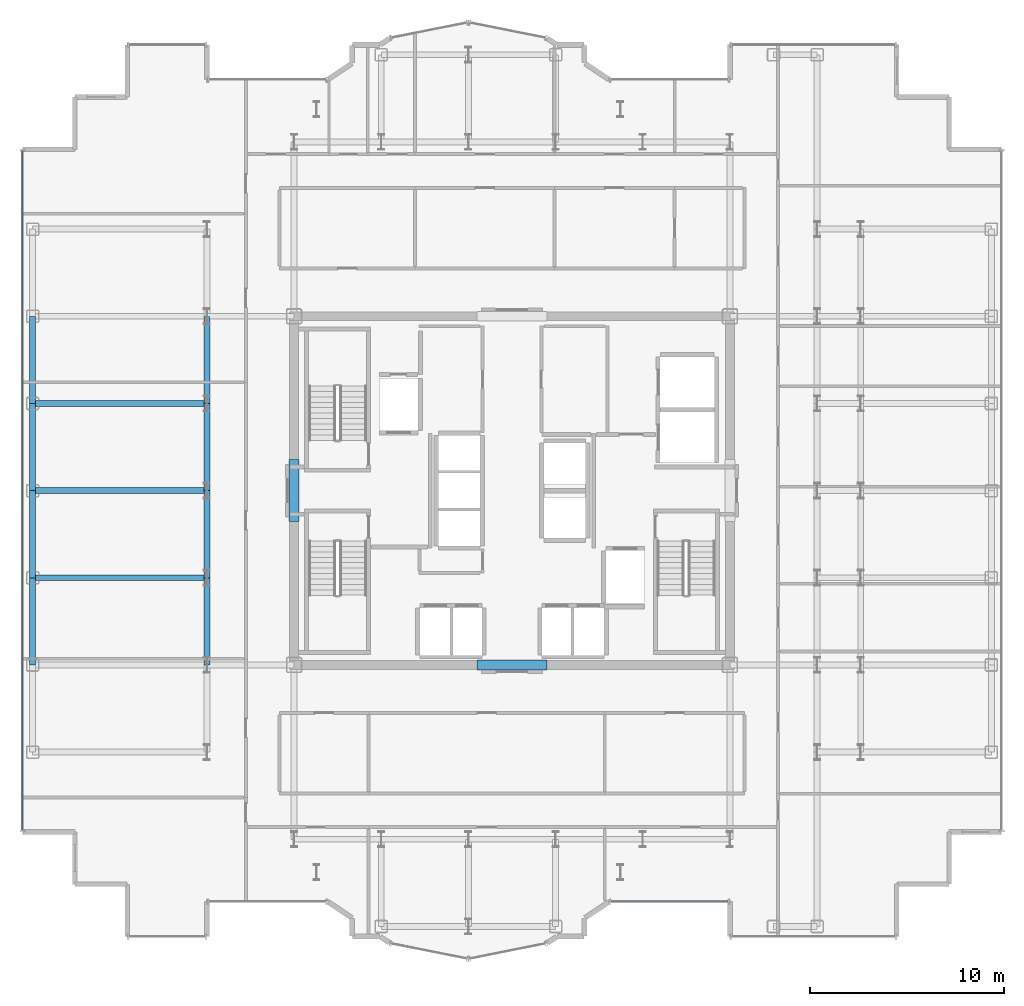
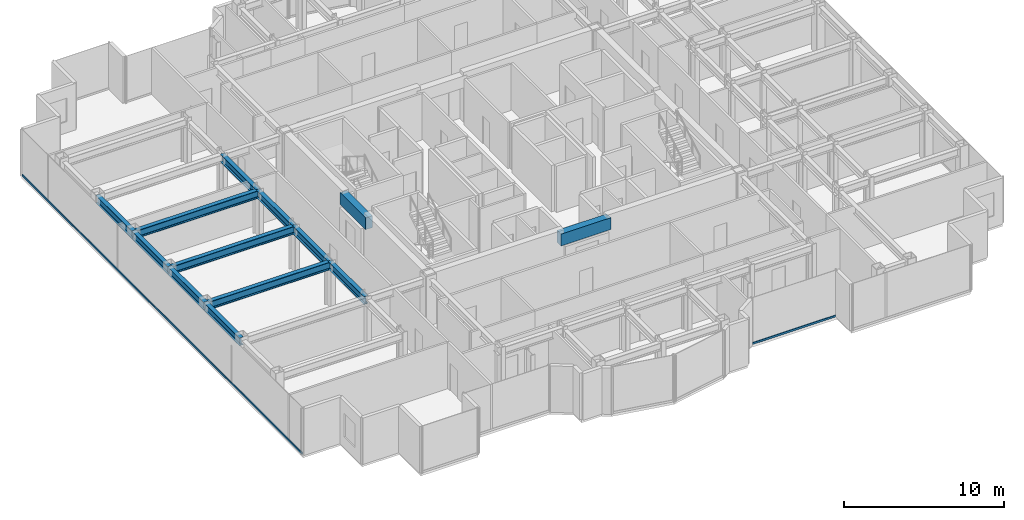
# One storey, part 4 of 20: 13 beams, 2 members, 2 elements without a shape of their own.
"""IFC4 building model written with IfcOpenShell, lengths in metres."""

from ifc_helpers import new_model, si_unit, direction, frame, origin, origin_2d, place, context, subcontext, project, spatial, rectangle, hollow_rectangle, i_section, extrude, source, transform, mapped, material, layer, layer_set, material_profile, profile_set, type_object, element, aggregate, save


model = new_model("IFC4")

# Units and contexts
model_context = context("Model", 3, precision=1e-05, world=origin(), true_north=direction((0.0, 1.0)))
body_context = subcontext(model_context, "Body", "Model", "MODEL_VIEW")
ifc_project = project(units=[si_unit("LENGTHUNIT", "METRE"), si_unit("AREAUNIT", "SQUARE_METRE"), si_unit("VOLUMEUNIT", "CUBIC_METRE"), si_unit("PLANEANGLEUNIT", "RADIAN"), si_unit("MASSUNIT", "GRAM", prefix="KILO")], contexts=[model_context])

# Site, building, storey
site_placement = place(None, origin())
site = spatial("IfcSite", under=ifc_project, at=site_placement, CompositionType="ELEMENT")
building_placement = place(site_placement, origin())
building = spatial("IfcBuilding", under=site, at=building_placement, Name="Nefas-Gora Pilgrimage Tower", CompositionType="ELEMENT")
storey_placement = place(building_placement, frame((0.0, 0.0, 244.60009765625)))
storey = spatial("IfcBuildingStorey", under=building, at=storey_placement, Name="L61", CompositionType="ELEMENT", Elevation=244.60009765625)

# Beams
ifc_material_1 = material(Name="Concrete C50/60", Category="concrete")
ifc_material_profile_1 = material_profile(ifc_material_1, rectangle(XDim=0.5, YDim=0.89990234375, at=origin_2d()), Name="RC 500x900")
ifc_profile_set_1 = profile_set([ifc_material_profile_1], Name="Concrete C50/60")
beam_type_1 = type_object("IfcBeamType", Name="BM-LIN-RC900", PredefinedType="LINTEL", material=ifc_profile_set_1)
shared_shape_1 = source(origin(), body_context, "Body", "SweptSolid", [
    extrude(rectangle(XDim=0.5, YDim=0.89990234375, at=origin_2d()), origin(), (0.0, 0.0, 1.0), 3.60009765625),
])
beam_1_placement = place(storey_placement, frame((-1.800048828125, -9.0, 3.099853515625), z_axis=(1.0, 0.0, 0.0), x_axis=(0.0, 1.0, 0.0)))
element("IfcBeam", 1, at=beam_1_placement, inside=storey, type_object=beam_type_1, Name="L61 Core Coupling Lintel Beam S", PredefinedType="LINTEL", context=body_context, shape_type="MappedRepresentation", body=[
    mapped(shared_shape_1, transform((0.0, 0.0, 0.0), x_axis=(1.0, 0.0, 0.0), y_axis=(0.0, 1.0, 0.0), z_axis=(0.0, 0.0, 1.0), scale=1.0)),
])
shared_shape_2 = source(origin(), body_context, "Body", "SweptSolid", [
    extrude(rectangle(XDim=0.5, YDim=0.89990234375, at=origin_2d()), origin(), (0.0, 0.0, 1.0), 3.2001953125),
])
beam_2_placement = place(storey_placement, frame((-11.25, -1.60009765625, 3.099853515625), z_axis=(0.0, 1.0, 0.0), x_axis=(-1.0, 0.0, 0.0)))
element("IfcBeam", 2, at=beam_2_placement, inside=storey, type_object=beam_type_1, Name="L61 Core Coupling Lintel Beam W", PredefinedType="LINTEL", context=body_context, shape_type="MappedRepresentation", body=[
    mapped(shared_shape_2, transform((0.0, 0.0, 0.0), x_axis=(1.0, 0.0, 0.0), y_axis=(0.0, 1.0, 0.0), z_axis=(0.0, 0.0, 1.0), scale=1.0)),
])
ifc_material_2 = material(Name="Steel S355", Category="steel")
ifc_material_profile_2 = material_profile(ifc_material_2, i_section(OverallWidth=0.300048828125, OverallDepth=0.60009765625, WebThickness=0.015380859375, FlangeThickness=0.030029296875, FilletRadius=0.027099609375, at=origin_2d()), Name="HEB 600")
ifc_profile_set_2 = profile_set([ifc_material_profile_2], Name="Steel S355")
beam_type_2 = type_object("IfcBeamType", Name="BM-SPN-HEB450", PredefinedType="SPANDREL", material=ifc_profile_set_2)
shared_shape_3 = source(origin(), body_context, "Body", "SweptSolid", [
    extrude(i_section(OverallWidth=0.300048828125, OverallDepth=0.60009765625, WebThickness=0.015380859375, FlangeThickness=0.030029296875, FilletRadius=0.027099609375, at=origin_2d()), origin(), (0.0, 0.0, 1.0), 4.5),
])
for number, where, z_axis, x_axis, name in (
    (3, (-24.75, -9.0, 3.25), (0.0, 1.0, 0.0), (-1.0, 0.0, 0.0), "L61 SP-03 beam"),
    (4, (-24.75, -4.5, 3.25), (0.0, 1.0, 0.0), (-1.0, 0.0, 0.0), "L61 SP-03 beam"),
    (5, (-24.75, 0.0, 3.25), (0.0, 1.0, 0.0), (-1.0, 0.0, 0.0), "L61 SP-03 beam"),
    (6, (-24.75, 4.5, 3.25), (0.0, 1.0, 0.0), (-1.0, 0.0, 0.0), "L61 SP-03 beam"),
):
    element("IfcBeam", number, at=place(storey_placement, frame(where, z_axis=z_axis, x_axis=x_axis)), inside=storey, type_object=beam_type_2, Name=name, PredefinedType="SPANDREL", context=body_context, shape_type="MappedRepresentation", body=[
        mapped(shared_shape_3, transform((0.0, 0.0, 0.0), x_axis=(1.0, 0.0, 0.0), y_axis=(0.0, 1.0, 0.0), z_axis=(0.0, 0.0, 1.0), scale=1.0)),
    ])
ifc_material_profile_3 = material_profile(ifc_material_2, i_section(OverallWidth=0.300048828125, OverallDepth=0.60009765625, WebThickness=0.015380859375, FlangeThickness=0.030029296875, FilletRadius=0.027099609375, at=origin_2d()), Name="HEB 600")
ifc_profile_set_3 = profile_set([ifc_material_profile_3], Name="Steel S355")
beam_type_3 = type_object("IfcBeamType", Name="BM-GIR-HEB600", PredefinedType="BEAM", material=ifc_profile_set_3)
shared_shape_4 = source(origin(), body_context, "Body", "SweptSolid", [
    extrude(i_section(OverallWidth=0.300048828125, OverallDepth=0.60009765625, WebThickness=0.015380859375, FlangeThickness=0.030029296875, FilletRadius=0.027099609375, at=origin_2d()), origin(), (0.0, 0.0, 1.0), 9.0),
])
for number, where, z_axis, x_axis, name in (
    (7, (-24.75, -4.5, 3.25), (1.0, 0.0, 0.0), (0.0, 1.0, 0.0), "L61 G-04 beam"),
    (8, (-24.75, 0.0, 3.25), (1.0, 0.0, 0.0), (0.0, 1.0, 0.0), "L61 G-04 beam"),
    (9, (-24.75, 4.5, 3.25), (1.0, 0.0, 0.0), (0.0, 1.0, 0.0), "L61 G-04 beam"),
):
    element("IfcBeam", number, at=place(storey_placement, frame(where, z_axis=z_axis, x_axis=x_axis)), inside=storey, type_object=beam_type_3, Name=name, PredefinedType="BEAM", context=body_context, shape_type="MappedRepresentation", body=[
        mapped(shared_shape_4, transform((0.0, 0.0, 0.0), x_axis=(1.0, 0.0, 0.0), y_axis=(0.0, 1.0, 0.0), z_axis=(0.0, 0.0, 1.0), scale=1.0)),
    ])
shared_shape_5 = source(origin(), body_context, "Body", "SweptSolid", [
    extrude(i_section(OverallWidth=0.300048828125, OverallDepth=0.60009765625, WebThickness=0.015380859375, FlangeThickness=0.030029296875, FilletRadius=0.027099609375, at=origin_2d()), origin(), (0.0, 0.0, 1.0), 4.5),
])
for number, where, z_axis, x_axis, name in (
    (10, (-15.75, -9.0, 3.25), (0.0, 1.0, 0.0), (-1.0, 0.0, 0.0), "L61 G-04 beam"),
    (11, (-15.75, -4.5, 3.25), (0.0, 1.0, 0.0), (-1.0, 0.0, 0.0), "L61 G-04 beam"),
    (12, (-15.75, 0.0, 3.25), (0.0, 1.0, 0.0), (-1.0, 0.0, 0.0), "L61 G-04 beam"),
    (13, (-15.75, 4.5, 3.25), (0.0, 1.0, 0.0), (-1.0, 0.0, 0.0), "L61 G-04 beam"),
):
    element("IfcBeam", number, at=place(storey_placement, frame(where, z_axis=z_axis, x_axis=x_axis)), inside=storey, type_object=beam_type_3, Name=name, PredefinedType="BEAM", context=body_context, shape_type="MappedRepresentation", body=[
        mapped(shared_shape_5, transform((0.0, 0.0, 0.0), x_axis=(1.0, 0.0, 0.0), y_axis=(0.0, 1.0, 0.0), z_axis=(0.0, 0.0, 1.0), scale=1.0)),
    ])

# Curtain wall, member
ifc_material_3 = material(Name="Dark ceramic-fritted solar-control aluminium-glass curtain wall", Category="aluminium")
ifc_layer_1 = layer(ifc_material_3, 0.219970703125)
ifc_layer_set_1 = layer_set([ifc_layer_1], Name="Dark ceramic-fritted solar-control aluminium-glass curtain wall")
curtain_wall_type_1 = type_object("IfcCurtainWallType", Name="CW-SYS-5", PredefinedType="NOTDEFINED", material=ifc_layer_set_1)
curtain_wall_1_placement = place(storey_placement, origin())
curtain_wall_1 = element("IfcCurtainWall", 14, at=curtain_wall_1_placement, inside=storey, type_object=curtain_wall_type_1, Name="L61 Unitised Curtain Wall CW5", PredefinedType="NOTDEFINED")
ifc_material_4 = material(Name="Anodised architectural aluminium", Category="aluminium")
ifc_material_profile_4 = material_profile(ifc_material_4, hollow_rectangle(XDim=0.080078125, YDim=0.159912109375, WallThickness=0.00439453125, InnerFilletRadius=0.00439453125, OuterFilletRadius=0.009033203125, at=origin_2d()), Name="ALU TRANSOM 80x160")
ifc_profile_set_4 = profile_set([ifc_material_profile_4], Name="Anodised architectural aluminium")
member_type_1 = type_object("IfcMemberType", Name="CWM-TRN-5", PredefinedType="USERDEFINED", material=ifc_profile_set_4)
shared_shape_6 = source(origin(), body_context, "Body", "SweptSolid", [
    extrude(hollow_rectangle(XDim=0.080078125, YDim=0.159912109375, WallThickness=0.00439453125, InnerFilletRadius=0.00439453125, OuterFilletRadius=0.009033203125, at=origin_2d()), origin(), (0.0, 0.0, 1.0), 6.052001953125),
])
member_1_placement = place(storey_placement, frame((5.10791015625, -21.219970703125, 0.0498046875), z_axis=(1.0, 0.0, 0.0), x_axis=(0.0, 1.0, 0.0)))
member_1 = element("IfcMember", 15, at=member_1_placement, type_object=member_type_1, Name="CW5 Spandrel Transom", ObjectType="TRANSOM", PredefinedType="USERDEFINED", context=body_context, shape_type="MappedRepresentation", body=[
    mapped(shared_shape_6, transform((0.0, 0.0, 0.0), x_axis=(1.0, 0.0, 0.0), y_axis=(0.0, 1.0, 0.0), z_axis=(0.0, 0.0, 1.0), scale=1.0)),
])
aggregate(curtain_wall_1, [member_1])

ifc_layer_2 = layer(ifc_material_3, 0.219970703125)
ifc_layer_set_2 = layer_set([ifc_layer_2], Name="Dark ceramic-fritted solar-control aluminium-glass curtain wall")
curtain_wall_type_2 = type_object("IfcCurtainWallType", Name="CW-SYS-3", PredefinedType="NOTDEFINED", material=ifc_layer_set_2)
curtain_wall_2_placement = place(storey_placement, origin())
curtain_wall_2 = element("IfcCurtainWall", 16, at=curtain_wall_2_placement, inside=storey, type_object=curtain_wall_type_2, Name="L61 Unitised Curtain Wall CW3", PredefinedType="NOTDEFINED")
ifc_material_profile_5 = material_profile(ifc_material_4, hollow_rectangle(XDim=0.080078125, YDim=0.159912109375, WallThickness=0.00439453125, InnerFilletRadius=0.00439453125, OuterFilletRadius=0.009033203125, at=origin_2d()), Name="ALU TRANSOM 80x160")
ifc_profile_set_5 = profile_set([ifc_material_profile_5], Name="Anodised architectural aluminium")
member_type_2 = type_object("IfcMemberType", Name="CWM-TRN-3", PredefinedType="USERDEFINED", material=ifc_profile_set_5)
shared_shape_7 = source(origin(), body_context, "Body", "SweptSolid", [
    extrude(hollow_rectangle(XDim=0.080078125, YDim=0.159912109375, WallThickness=0.00439453125, InnerFilletRadius=0.00439453125, OuterFilletRadius=0.009033203125, at=origin_2d()), origin(), (0.0, 0.0, 1.0), 35.06005859375),
])
member_2_placement = place(storey_placement, frame((-25.27001953125, 17.530029296875, 0.0498046875), z_axis=(0.0, -1.0, 0.0), x_axis=(1.0, 0.0, 0.0)))
member_2 = element("IfcMember", 17, at=member_2_placement, type_object=member_type_2, Name="CW3 Spandrel Transom", ObjectType="TRANSOM", PredefinedType="USERDEFINED", context=body_context, shape_type="MappedRepresentation", body=[
    mapped(shared_shape_7, transform((0.0, 0.0, 0.0), x_axis=(1.0, 0.0, 0.0), y_axis=(0.0, 1.0, 0.0), z_axis=(0.0, 0.0, 1.0), scale=1.0)),
])
aggregate(curtain_wall_2, [member_2])

save(model, "model.ifc")
